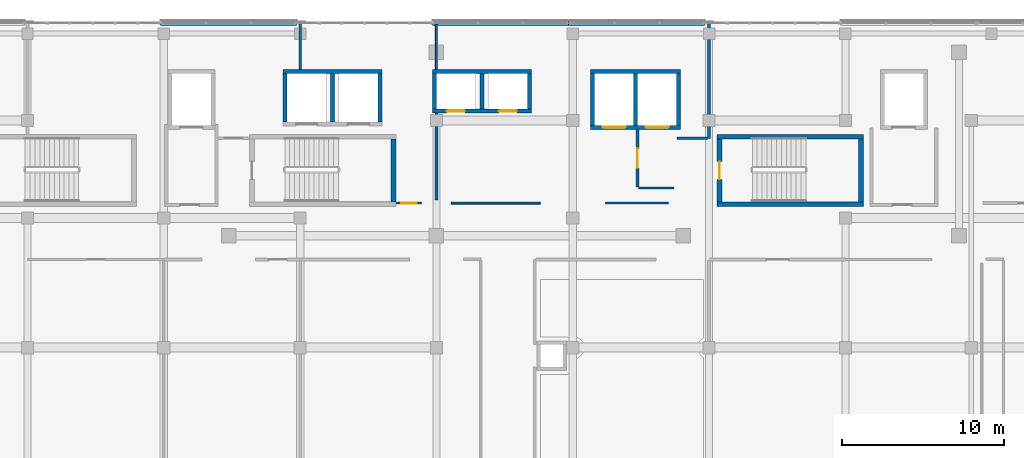
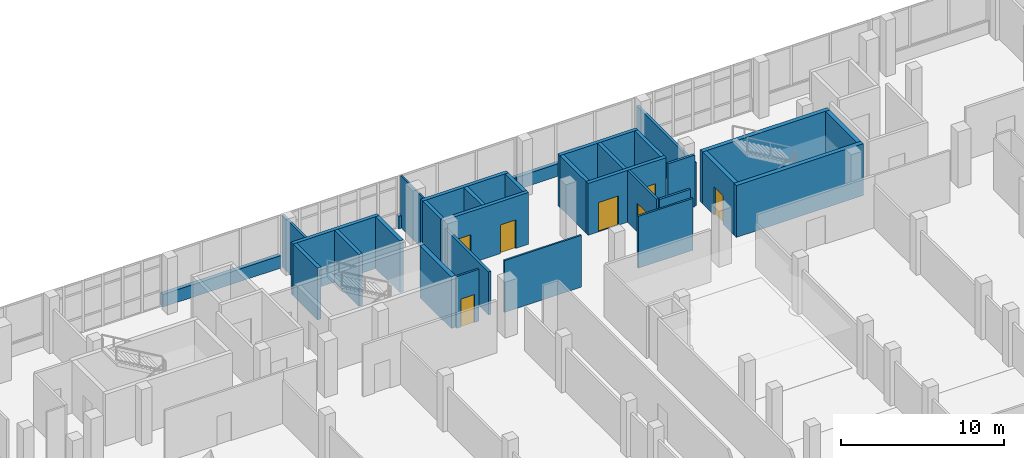
# One storey, part 169 of 184: 32 walls, 7 doors, 7 openings.
"""IFC4 building model written with IfcOpenShell, lengths in metres."""

from ifc_helpers import new_model, si_unit, direction, frame, frame_2d, origin, place, context, subcontext, project, spatial, rectangle, extrude, material, layer, layer_set, type_object, element, fill, save


model = new_model("IFC4")

# Units and contexts
model_context = context("Model", 3, precision=1e-05, world=origin(), true_north=direction((0.0, 1.0)))
body_context = subcontext(model_context, "Body", "Model", "MODEL_VIEW")
ifc_project = project(units=[si_unit("LENGTHUNIT", "METRE"), si_unit("AREAUNIT", "SQUARE_METRE"), si_unit("VOLUMEUNIT", "CUBIC_METRE"), si_unit("PLANEANGLEUNIT", "RADIAN"), si_unit("MASSUNIT", "GRAM", prefix="KILO")], contexts=[model_context])

# Site, building, storey
site_placement = place(None, origin())
site = spatial("IfcSite", under=ifc_project, at=site_placement, CompositionType="ELEMENT")
building_placement = place(site_placement, origin())
building = spatial("IfcBuilding", under=site, at=building_placement, Name="Selatvlak General Hospital", CompositionType="ELEMENT")
storey_placement = place(building_placement, frame((0.0, 0.0, 15.0)))
storey = spatial("IfcBuildingStorey", under=building, at=storey_placement, Name="L03", CompositionType="ELEMENT", Elevation=15.0)

# Walls
ifc_material_1 = material(Name="Precast concrete C40/50 - white Bauhaus spandrel", Category="concrete")
ifc_layer_1 = layer(ifc_material_1, 0.280029296875, Name="Precast concrete C40/50 - white Bauhaus spandrel", Category="concrete")
ifc_layer_set_1 = layer_set([ifc_layer_1], Name="Precast concrete C40/50 - white Bauhaus spandrel")
wall_type_1 = type_object("IfcWallType", Name="WALL-EW-02", PredefinedType="SOLIDWALL", material=ifc_layer_set_1)
wall_1_placement = place(storey_placement, frame((98.201904296875, 119.9990234375, 0.0), z_axis=(0.0, 0.0, 1.0), x_axis=(0.999999993202, 0.000116604477, 0.0)))
element("IfcWall", 1, at=wall_1_placement, inside=storey, type_object=wall_type_1, Name="L03 Bauhaus spandrel sill wall 0370", PredefinedType="SOLIDWALL", context=body_context, shape_type="SweptSolid", body=[
    extrude(rectangle(XDim=8.375, YDim=0.280029296875, at=frame_2d((4.1875, 0.0))), origin(), (0.0, 0.0, 1.0), 0.93994140625),
])
for number, where, z_axis, x_axis, name in (
    (2, (114.9609375, 120.0, 0.0), (0.0, 0.0, 1.0), (1.0, 0.0, 0.0), "L03 Bauhaus spandrel sill wall 0371"),
    (3, (123.341064453125, 120.0, 0.0), (0.0, 0.0, 1.0), (1.0, 0.0, 0.0), "L03 Bauhaus spandrel sill wall 0372"),
):
    element("IfcWall", number, at=place(storey_placement, frame(where, z_axis=z_axis, x_axis=x_axis)), inside=storey, type_object=wall_type_1, Name=name, PredefinedType="SOLIDWALL", context=body_context, shape_type="SweptSolid", body=[
        extrude(rectangle(XDim=8.3759765625, YDim=0.280029296875, at=frame_2d((4.18798828125, 0.0))), origin(), (0.0, 0.0, 1.0), 0.93994140625),
    ])
ifc_material_2 = material(Name="Acoustic gypsum stud partition")
ifc_layer_2 = layer(ifc_material_2, 0.179931640625, Name="Acoustic gypsum stud partition")
ifc_layer_set_2 = layer_set([ifc_layer_2], Name="Acoustic gypsum stud partition")
wall_type_2 = type_object("IfcWallType", Name="WALL-PT-01", PredefinedType="PARTITIONING", material=ifc_layer_set_2)
wall_2_placement = place(storey_placement, frame((115.199951171875, 114.452880859375, 0.0), z_axis=(0.0, 0.0, 1.0), x_axis=(0.0, -1.0, 0.0)))
element("IfcWall", 4, at=wall_2_placement, inside=storey, type_object=wall_type_2, Name="L03 clinical partition PT-L03-1635", PredefinedType="PARTITIONING", context=body_context, shape_type="SweptSolid", body=[
    extrude(rectangle(XDim=5.3427734375, YDim=0.179931640625, at=frame_2d((2.67138671875, 0.0))), origin(), (0.0, 0.0, 1.0), 3.2451171875),
])
wall_3_placement = place(storey_placement, frame((132.0, 119.989013671875, 0.0), z_axis=(0.0, 0.0, 1.0), x_axis=(0.0, -1.0, 0.0)))
element("IfcWall", 5, at=wall_3_placement, inside=storey, type_object=wall_type_2, Name="L03 clinical partition PT-L03-1640", PredefinedType="PARTITIONING", context=body_context, shape_type="SweptSolid", body=[
    extrude(rectangle(XDim=7.089111328125, YDim=0.179931640625, at=frame_2d((3.54443359375, 0.0))), origin(), (0.0, 0.0, 1.0), 3.2451171875),
])

# Wall, opening, door
ifc_layer_3 = layer(ifc_material_2, 0.1650390625, Name="Acoustic gypsum stud partition")
ifc_layer_set_3 = layer_set([ifc_layer_3], Name="Acoustic gypsum stud partition")
wall_type_3 = type_object("IfcWallType", Name="WALL-PT-02", PredefinedType="PARTITIONING", material=ifc_layer_set_3)
wall_4_placement = place(storey_placement, frame((127.590087890625, 113.452880859375, 0.0), z_axis=(0.0, 0.0, 1.0), x_axis=(0.0, -1.0, 0.0)))
wall_4 = element("IfcWall", 6, at=wall_4_placement, inside=storey, type_object=wall_type_3, Name="L03 clinical partition PT-L03-1636", PredefinedType="PARTITIONING", context=body_context, shape_type="SweptSolid", body=[
    extrude(rectangle(XDim=3.552978515625, YDim=0.1650390625, at=frame_2d((1.7763671875, 0.0))), origin(), (0.0, 0.0, 1.0), 3.89501953125),
])
opening_1_placement = place(wall_4_placement, frame((1.176025390625, 0.0, 0.0)))
opening_1 = element("IfcOpeningElement", 7, at=opening_1_placement, cuts=wall_4, Name="Opening D-07", PredefinedType="OPENING", context=body_context, shape_type="SweptSolid", body=[
    extrude(rectangle(XDim=1.199951171875, YDim=2.14990234375, at=frame_2d((0.60009765625, 1.074951171875))), frame((0.0, 0.092529296875, 0.0), z_axis=(0.0, -1.0, 0.0), x_axis=(1.0, 0.0, 0.0)), (0.0, 0.0, 1.0), 0.18505859375),
])
ifc_material_3 = material(Name="Plant and store fire door")
door_type_1 = type_object("IfcDoorType", Name="DOOR-D-07", OperationType="NOTDEFINED", PredefinedType="DOOR", material=ifc_material_3)
door_1_placement = place(opening_1_placement, origin())
door_1 = element("IfcDoor", 8, at=door_1_placement, inside=storey, type_object=door_type_1, Name="L03 Biomedical Engineering Workshop 60 door", OperationType="SINGLE_SWING_LEFT", OverallHeight=2.14990234375, OverallWidth=1.199951171875, PredefinedType="DOOR", context=body_context, shape_type="SweptSolid", body=[
    extrude(rectangle(XDim=1.199951171875, YDim=2.14990234375, at=frame_2d((0.60009765625, 1.074951171875))), frame((0.0, 0.02490234375, 0.0), z_axis=(0.0, -1.0, 0.0), x_axis=(1.0, 0.0, 0.0)), (0.0, 0.0, 1.0), 0.050048828125),
])
fill(opening_1, door_1)

# Walls
wall_5_placement = place(storey_placement, frame((131.9140625, 112.89990234375, 0.0), z_axis=(0.0, 0.0, 1.0), x_axis=(-1.0, 0.0, 0.0)))
element("IfcWall", 9, at=wall_5_placement, inside=storey, type_object=wall_type_3, Name="L03 clinical partition PT-L03-1641", PredefinedType="PARTITIONING", context=body_context, shape_type="SweptSolid", body=[
    extrude(rectangle(XDim=1.904052734375, YDim=0.1650390625, at=frame_2d((0.9521484375, 0.0))), origin(), (0.0, 0.0, 1.0), 3.89501953125),
])
ifc_layer_4 = layer(ifc_material_2, 0.14990234375, Name="Acoustic gypsum stud partition")
ifc_layer_set_4 = layer_set([ifc_layer_4], Name="Acoustic gypsum stud partition")
wall_type_4 = type_object("IfcWallType", Name="WALL-PT-03", PredefinedType="PARTITIONING", material=ifc_layer_set_4)
wall_6_placement = place(storey_placement, frame((106.800048828125, 119.989013671875, 0.0), z_axis=(0.0, 0.0, 1.0), x_axis=(0.0, -1.0, 0.0)))
element("IfcWall", 10, at=wall_6_placement, inside=storey, type_object=wall_type_4, Name="L03 clinical partition PT-L03-1632", PredefinedType="PARTITIONING", context=body_context, shape_type="SweptSolid", body=[
    extrude(rectangle(XDim=2.842041015625, YDim=0.14990234375, at=frame_2d((1.4208984375, 0.0))), origin(), (0.0, 0.0, 1.0), 3.89501953125),
])
wall_7_placement = place(storey_placement, frame((127.64990234375, 109.840087890625, 0.0), z_axis=(0.0, 0.0, 1.0), x_axis=(1.0, 0.0, 0.0)))
element("IfcWall", 11, at=wall_7_placement, inside=storey, type_object=wall_type_4, Name="L03 clinical partition PT-L03-1637", PredefinedType="PARTITIONING", context=body_context, shape_type="SweptSolid", body=[
    extrude(rectangle(XDim=2.190185546875, YDim=0.14990234375, at=frame_2d((1.09521484375, 0.0))), origin(), (0.0, 0.0, 1.0), 3.89501953125),
])

# Wall, opening, door
ifc_material_4 = material(Name="Moisture-resistant clinical partition")
ifc_layer_5 = layer(ifc_material_4, 0.135009765625, Name="Moisture-resistant clinical partition")
ifc_layer_set_5 = layer_set([ifc_layer_5], Name="Moisture-resistant clinical partition")
wall_type_5 = type_object("IfcWallType", Name="WALL-PT-04", PredefinedType="PARTITIONING", material=ifc_layer_set_5)
wall_8_placement = place(storey_placement, frame((114.287109375, 108.909912109375, 0.0), z_axis=(0.0, 0.0, 1.0), x_axis=(-1.0, 0.0, 0.0)))
wall_8 = element("IfcWall", 12, at=wall_8_placement, inside=storey, type_object=wall_type_5, Name="L03 clinical partition PT-L03-1633", PredefinedType="PARTITIONING", context=body_context, shape_type="SweptSolid", body=[
    extrude(rectangle(XDim=1.5771484375, YDim=0.135009765625, at=frame_2d((0.78857421875, 0.0))), origin(), (0.0, 0.0, 1.0), 3.89501953125),
])
opening_2_placement = place(wall_8_placement, frame((0.31396484375, 0.0, 0.0)))
opening_2 = element("IfcOpeningElement", 13, at=opening_2_placement, cuts=wall_8, Name="Opening D-02", PredefinedType="OPENING", context=body_context, shape_type="SweptSolid", body=[
    extrude(rectangle(XDim=0.949951171875, YDim=2.10009765625, at=frame_2d((0.47509765625, 1.050048828125))), frame((0.0, 0.077392578125, 0.0), z_axis=(0.0, -1.0, 0.0), x_axis=(1.0, 0.0, 0.0)), (0.0, 0.0, 1.0), 0.155029296875),
])
ifc_material_5 = material(Name="Moisture-resistant en-suite door")
door_type_2 = type_object("IfcDoorType", Name="DOOR-D-02", OperationType="NOTDEFINED", PredefinedType="DOOR", material=ifc_material_5)
door_2_placement = place(opening_2_placement, origin())
door_2 = element("IfcDoor", 14, at=door_2_placement, inside=storey, type_object=door_type_2, Name="L03 Hospital Transfusion Blood Bank 59 door", OperationType="SINGLE_SWING_RIGHT", OverallHeight=2.10009765625, OverallWidth=0.949951171875, PredefinedType="DOOR", context=body_context, shape_type="SweptSolid", body=[
    extrude(rectangle(XDim=0.949951171875, YDim=2.10009765625, at=frame_2d((0.47509765625, 1.050048828125))), frame((0.0, 0.02490234375, 0.0), z_axis=(0.0, -1.0, 0.0), x_axis=(1.0, 0.0, 0.0)), (0.0, 0.0, 1.0), 0.050048828125),
])
fill(opening_2, door_2)

# Walls
wall_9_placement = place(storey_placement, frame((129.487060546875, 108.909912109375, 0.0), z_axis=(0.0, 0.0, 1.0), x_axis=(-1.0, 0.0, 0.0)))
element("IfcWall", 15, at=wall_9_placement, inside=storey, type_object=wall_type_5, Name="L03 clinical partition PT-L03-1638", PredefinedType="PARTITIONING", context=body_context, shape_type="SweptSolid", body=[
    extrude(rectangle(XDim=3.8759765625, YDim=0.135009765625, at=frame_2d((1.93798828125, 0.0))), origin(), (0.0, 0.0, 1.0), 3.89501953125),
])
ifc_layer_6 = layer(ifc_material_4, 0.1201171875, Name="Moisture-resistant clinical partition")
ifc_layer_set_6 = layer_set([ifc_layer_6], Name="Moisture-resistant clinical partition")
wall_type_6 = type_object("IfcWallType", Name="WALL-PT-05", PredefinedType="PARTITIONING", material=ifc_layer_set_6)
wall_10_placement = place(storey_placement, frame((115.199951171875, 119.9580078125, 0.0), z_axis=(0.0, 0.0, 1.0), x_axis=(0.0, -1.0, 0.0)))
element("IfcWall", 16, at=wall_10_placement, inside=storey, type_object=wall_type_6, Name="L03 clinical partition PT-L03-1634", PredefinedType="PARTITIONING", context=body_context, shape_type="SweptSolid", body=[
    extrude(rectangle(XDim=2.81103515625, YDim=0.1201171875, at=frame_2d((1.405517578125, 0.0))), origin(), (0.0, 0.0, 1.0), 3.89501953125),
])
wall_11_placement = place(storey_placement, frame((121.589111328125, 108.909912109375, 0.0), z_axis=(0.0, 0.0, 1.0), x_axis=(-1.0, 0.0, 0.0)))
element("IfcWall", 17, at=wall_11_placement, inside=storey, type_object=wall_type_6, Name="L03 clinical partition PT-L03-1639", PredefinedType="PARTITIONING", context=body_context, shape_type="SweptSolid", body=[
    extrude(rectangle(XDim=5.47607421875, YDim=0.1201171875, at=frame_2d((2.738037109375, 0.0))), origin(), (0.0, 0.0, 1.0), 3.89501953125),
])
ifc_material_6 = material(Name="Concrete C45/55", Category="concrete")
ifc_layer_7 = layer(ifc_material_6, 0.300048828125, Name="Concrete C45/55", Category="concrete")
ifc_layer_set_7 = layer_set([ifc_layer_7], Name="Concrete C45/55")
wall_type_7 = type_object("IfcWallType", Name="WALL-SW-02", PredefinedType="SHEAR", material=ifc_layer_set_7)
wall_12_placement = place(storey_placement, frame((112.56005859375, 108.989990234375, 0.0), z_axis=(0.0, 0.0, 1.0), x_axis=(0.0, 1.0, 0.0)))
element("IfcWall", 18, at=wall_12_placement, inside=storey, type_object=wall_type_7, Name="ST-03 core shear wall L03 E", PredefinedType="SHEAR", context=body_context, shape_type="SweptSolid", body=[
    extrude(rectangle(XDim=3.860107421875, YDim=0.300048828125, at=frame_2d((1.93017578125, 0.0))), origin(), (0.0, 0.0, 1.0), 3.89501953125),
])
wall_13_placement = place(storey_placement, frame((132.489990234375, 108.840087890625, 0.0), z_axis=(0.0, 0.0, 1.0), x_axis=(1.0, 0.0, 0.0)))
element("IfcWall", 19, at=wall_13_placement, inside=storey, type_object=wall_type_7, Name="ST-04 core shear wall L03 S", PredefinedType="SHEAR", context=body_context, shape_type="SweptSolid", body=[
    extrude(rectangle(XDim=9.02001953125, YDim=0.300048828125, at=frame_2d((4.510009765625, 0.0))), origin(), (0.0, 0.0, 1.0), 3.89501953125),
])
wall_14_placement = place(storey_placement, frame((141.360107421875, 108.989990234375, 0.0), z_axis=(0.0, 0.0, 1.0), x_axis=(0.0, 1.0, 0.0)))
element("IfcWall", 20, at=wall_14_placement, inside=storey, type_object=wall_type_7, Name="ST-04 core shear wall L03 E", PredefinedType="SHEAR", context=body_context, shape_type="SweptSolid", body=[
    extrude(rectangle(XDim=3.860107421875, YDim=0.300048828125, at=frame_2d((1.93017578125, 0.0))), origin(), (0.0, 0.0, 1.0), 3.89501953125),
])
wall_15_placement = place(storey_placement, frame((141.510009765625, 113.0, 0.0), z_axis=(0.0, 0.0, 1.0), x_axis=(-1.0, 0.0, 0.0)))
element("IfcWall", 21, at=wall_15_placement, inside=storey, type_object=wall_type_7, Name="ST-04 core shear wall L03 N", PredefinedType="SHEAR", context=body_context, shape_type="SweptSolid", body=[
    extrude(rectangle(XDim=9.02001953125, YDim=0.300048828125, at=frame_2d((4.510009765625, 0.0))), origin(), (0.0, 0.0, 1.0), 3.89501953125),
])

# Wall, opening, door
wall_16_placement = place(storey_placement, frame((132.639892578125, 112.85009765625, 0.0), z_axis=(0.0, 0.0, 1.0), x_axis=(0.0, -1.0, 0.0)))
wall_16 = element("IfcWall", 22, at=wall_16_placement, inside=storey, type_object=wall_type_7, Name="ST-04 core shear wall L03 W", PredefinedType="SHEAR", context=body_context, shape_type="SweptSolid", body=[
    extrude(rectangle(XDim=3.860107421875, YDim=0.300048828125, at=frame_2d((1.93017578125, 0.0))), origin(), (0.0, 0.0, 1.0), 3.89501953125),
])
opening_3_placement = place(wall_16_placement, frame((1.3798828125, 0.0, 0.0)))
opening_3 = element("IfcOpeningElement", 23, at=opening_3_placement, cuts=wall_16, Name="Opening D-05", PredefinedType="OPENING", context=body_context, shape_type="SweptSolid", body=[
    extrude(rectangle(XDim=1.10009765625, YDim=2.14990234375, at=frame_2d((0.550048828125, 1.074951171875))), frame((0.0, 0.159912109375, 0.0), z_axis=(0.0, -1.0, 0.0), x_axis=(1.0, 0.0, 0.0)), (0.0, 0.0, 1.0), 0.320068359375),
])
ifc_material_7 = material(Name="Protected stair fire door")
door_type_3 = type_object("IfcDoorType", Name="DOOR-D-05", OperationType="NOTDEFINED", PredefinedType="DOOR", material=ifc_material_7)
door_3_placement = place(opening_3_placement, origin())
door_3 = element("IfcDoor", 24, at=door_3_placement, inside=storey, type_object=door_type_3, Name="ST-04 protected stair door on L03", OperationType="SINGLE_SWING_RIGHT", OverallHeight=2.14990234375, OverallWidth=1.10009765625, PredefinedType="DOOR", context=body_context, shape_type="SweptSolid", body=[
    extrude(rectangle(XDim=1.10009765625, YDim=2.14990234375, at=frame_2d((0.550048828125, 1.074951171875))), frame((0.0, 0.02490234375, 0.0), z_axis=(0.0, -1.0, 0.0), x_axis=(1.0, 0.0, 0.0)), (0.0, 0.0, 1.0), 0.050048828125),
])
fill(opening_3, door_3)

# Wall, openings, doors
ifc_material_8 = material(Name="Concrete C40/50", Category="concrete")
ifc_layer_8 = layer(ifc_material_8, 0.25, Name="Concrete C40/50", Category="concrete")
ifc_layer_set_8 = layer_set([ifc_layer_8], Name="Concrete C40/50")
wall_type_8 = type_object("IfcWallType", Name="WALL-SW-03", PredefinedType="SHEAR", material=ifc_layer_set_8)
wall_17_placement = place(storey_placement, frame((124.699951171875, 113.574951171875, 0.0), z_axis=(0.0, 0.0, 1.0), x_axis=(1.0, 0.0, 0.0)))
wall_17 = element("IfcWall", 25, at=wall_17_placement, inside=storey, type_object=wall_type_8, Name="Lift LB-03-LB-04 shaft wall L03 S", PredefinedType="SHEAR", context=body_context, shape_type="SweptSolid", body=[
    extrude(rectangle(XDim=5.550048828125, YDim=0.25, at=frame_2d((2.77490234375, 0.0))), origin(), (0.0, 0.0, 1.0), 3.89501953125),
])
opening_4_placement = place(wall_17_placement, frame((0.75, 0.0, 0.0)))
opening_4 = element("IfcOpeningElement", 26, at=opening_4_placement, cuts=wall_17, Name="Opening LD-B1", PredefinedType="OPENING", context=body_context, shape_type="SweptSolid", body=[
    extrude(rectangle(XDim=1.39990234375, YDim=2.199951171875, at=frame_2d((0.699951171875, 1.10009765625))), frame((0.0, 0.135009765625, 0.0), z_axis=(0.0, -1.0, 0.0), x_axis=(1.0, 0.0, 0.0)), (0.0, 0.0, 1.0), 0.27001953125),
])
opening_5_placement = place(wall_17_placement, frame((3.39990234375, 0.0, 0.0)))
opening_5 = element("IfcOpeningElement", 27, at=opening_5_placement, cuts=wall_17, Name="Opening LD-B1", PredefinedType="OPENING", context=body_context, shape_type="SweptSolid", body=[
    extrude(rectangle(XDim=1.39990234375, YDim=2.199951171875, at=frame_2d((0.699951171875, 1.10009765625))), frame((0.0, 0.135009765625, 0.0), z_axis=(0.0, -1.0, 0.0), x_axis=(1.0, 0.0, 0.0)), (0.0, 0.0, 1.0), 0.27001953125),
])
ifc_material_9 = material(Name="Stainless steel stretcher lift landing door", Category="steel")
door_type_4 = type_object("IfcDoorType", Name="DOOR-LD-B1", OperationType="DOUBLE_DOOR_SLIDING", PredefinedType="DOOR", material=ifc_material_9)
door_4_placement = place(opening_4_placement, origin())
door_4 = element("IfcDoor", 28, at=door_4_placement, inside=storey, type_object=door_type_4, Name="Lift LB-03 sliding landing door on L03", OperationType="DOUBLE_DOOR_SLIDING", OverallHeight=2.199951171875, OverallWidth=1.39990234375, PredefinedType="DOOR", context=body_context, shape_type="SweptSolid", body=[
    extrude(rectangle(XDim=1.39990234375, YDim=2.199951171875, at=frame_2d((0.699951171875, 1.10009765625))), frame((0.0, 0.02490234375, 0.0), z_axis=(0.0, -1.0, 0.0), x_axis=(1.0, 0.0, 0.0)), (0.0, 0.0, 1.0), 0.050048828125),
])
fill(opening_4, door_4)
door_5_placement = place(opening_5_placement, origin())
door_5 = element("IfcDoor", 29, at=door_5_placement, inside=storey, type_object=door_type_4, Name="Lift LB-04 sliding landing door on L03", OperationType="DOUBLE_DOOR_SLIDING", OverallHeight=2.199951171875, OverallWidth=1.39990234375, PredefinedType="DOOR", context=body_context, shape_type="SweptSolid", body=[
    extrude(rectangle(XDim=1.39990234375, YDim=2.199951171875, at=frame_2d((0.699951171875, 1.10009765625))), frame((0.0, 0.02490234375, 0.0), z_axis=(0.0, -1.0, 0.0), x_axis=(1.0, 0.0, 0.0)), (0.0, 0.0, 1.0), 0.050048828125),
])
fill(opening_5, door_5)

# Walls
wall_18_placement = place(storey_placement, frame((130.125, 113.699951171875, 0.0), z_axis=(0.0, 0.0, 1.0), x_axis=(0.0, 1.0, 0.0)))
element("IfcWall", 30, at=wall_18_placement, inside=storey, type_object=wall_type_8, Name="Lift LB-03-LB-04 shaft wall L03 E", PredefinedType="SHEAR", context=body_context, shape_type="SweptSolid", body=[
    extrude(rectangle(XDim=3.199951171875, YDim=0.25, at=frame_2d((1.60009765625, 0.0))), origin(), (0.0, 0.0, 1.0), 3.89501953125),
])
wall_19_placement = place(storey_placement, frame((130.25, 117.02490234375, 0.0), z_axis=(0.0, 0.0, 1.0), x_axis=(-1.0, 0.0, 0.0)))
element("IfcWall", 31, at=wall_19_placement, inside=storey, type_object=wall_type_8, Name="Lift LB-03-LB-04 shaft wall L03 N", PredefinedType="SHEAR", context=body_context, shape_type="SweptSolid", body=[
    extrude(rectangle(XDim=5.550048828125, YDim=0.25, at=frame_2d((2.77490234375, 0.0))), origin(), (0.0, 0.0, 1.0), 3.89501953125),
])
for number, where, z_axis, x_axis, name in (
    (32, (124.824951171875, 116.89990234375, 0.0), (0.0, 0.0, 1.0), (0.0, -1.0, 0.0), "Lift LB-03-LB-04 shaft wall L03 W"),
    (33, (127.47509765625, 113.699951171875, 0.0), (0.0, 0.0, 1.0), (0.0, 1.0, 0.0), "Lift LB-03-LB-04 dividing shaft wall L03"),
):
    element("IfcWall", number, at=place(storey_placement, frame(where, z_axis=z_axis, x_axis=x_axis)), inside=storey, type_object=wall_type_8, Name=name, PredefinedType="SHEAR", context=body_context, shape_type="SweptSolid", body=[
        extrude(rectangle(XDim=3.199951171875, YDim=0.25, at=frame_2d((1.60009765625, 0.0))), origin(), (0.0, 0.0, 1.0), 3.89501953125),
    ])
wall_20_placement = place(storey_placement, frame((111.72509765625, 113.89990234375, 0.0), z_axis=(0.0, 0.0, 1.0), x_axis=(0.0, 1.0, 0.0)))
element("IfcWall", 34, at=wall_20_placement, inside=storey, type_object=wall_type_8, Name="Lift LS-01-LS-02 shaft wall L03 E", PredefinedType="SHEAR", context=body_context, shape_type="SweptSolid", body=[
    extrude(rectangle(XDim=3.0, YDim=0.25, at=frame_2d((1.5, 0.0))), origin(), (0.0, 0.0, 1.0), 3.89501953125),
])
wall_21_placement = place(storey_placement, frame((111.85009765625, 117.02490234375, 0.0), z_axis=(0.0, 0.0, 1.0), x_axis=(-1.0, 0.0, 0.0)))
element("IfcWall", 35, at=wall_21_placement, inside=storey, type_object=wall_type_8, Name="Lift LS-01-LS-02 shaft wall L03 N", PredefinedType="SHEAR", context=body_context, shape_type="SweptSolid", body=[
    extrude(rectangle(XDim=6.10009765625, YDim=0.25, at=frame_2d((3.050048828125, 0.0))), origin(), (0.0, 0.0, 1.0), 3.89501953125),
])
for number, where, z_axis, x_axis, name in (
    (36, (105.875, 116.89990234375, 0.0), (0.0, 0.0, 1.0), (0.0, -1.0, 0.0), "Lift LS-01-LS-02 shaft wall L03 W"),
    (37, (108.800048828125, 113.89990234375, 0.0), (0.0, 0.0, 1.0), (0.0, 1.0, 0.0), "Lift LS-01-LS-02 dividing shaft wall L03"),
):
    element("IfcWall", number, at=place(storey_placement, frame(where, z_axis=z_axis, x_axis=x_axis)), inside=storey, type_object=wall_type_8, Name=name, PredefinedType="SHEAR", context=body_context, shape_type="SweptSolid", body=[
        extrude(rectangle(XDim=3.0, YDim=0.25, at=frame_2d((1.5, 0.0))), origin(), (0.0, 0.0, 1.0), 3.89501953125),
    ])

# Wall, openings, doors
wall_22_placement = place(storey_placement, frame((114.949951171875, 114.574951171875, 0.0), z_axis=(0.0, 0.0, 1.0), x_axis=(1.0, 0.0, 0.0)))
wall_22 = element("IfcWall", 38, at=wall_22_placement, inside=storey, type_object=wall_type_8, Name="Lift LP-05-LP-06 shaft wall L03 S", PredefinedType="SHEAR", context=body_context, shape_type="SweptSolid", body=[
    extrude(rectangle(XDim=6.10009765625, YDim=0.25, at=frame_2d((3.050048828125, 0.0))), origin(), (0.0, 0.0, 1.0), 3.89501953125),
])
opening_6_placement = place(wall_22_placement, frame((0.89990234375, 0.0, 0.0)))
opening_6 = element("IfcOpeningElement", 39, at=opening_6_placement, cuts=wall_22, Name="Opening LD-P1", PredefinedType="OPENING", context=body_context, shape_type="SweptSolid", body=[
    extrude(rectangle(XDim=1.10009765625, YDim=2.14990234375, at=frame_2d((0.550048828125, 1.074951171875))), frame((0.0, 0.135009765625, 0.0), z_axis=(0.0, -1.0, 0.0), x_axis=(1.0, 0.0, 0.0)), (0.0, 0.0, 1.0), 0.27001953125),
])
opening_7_placement = place(wall_22_placement, frame((4.10009765625, 0.0, 0.0)))
opening_7 = element("IfcOpeningElement", 40, at=opening_7_placement, cuts=wall_22, Name="Opening LD-P1", PredefinedType="OPENING", context=body_context, shape_type="SweptSolid", body=[
    extrude(rectangle(XDim=1.10009765625, YDim=2.14990234375, at=frame_2d((0.550048828125, 1.074951171875))), frame((0.0, 0.135009765625, 0.0), z_axis=(0.0, -1.0, 0.0), x_axis=(1.0, 0.0, 0.0)), (0.0, 0.0, 1.0), 0.27001953125),
])
ifc_material_10 = material(Name="Stainless steel passenger lift landing door", Category="steel")
door_type_5 = type_object("IfcDoorType", Name="DOOR-LD-P1", OperationType="DOUBLE_DOOR_SLIDING", PredefinedType="DOOR", material=ifc_material_10)
door_6_placement = place(opening_6_placement, origin())
door_6 = element("IfcDoor", 41, at=door_6_placement, inside=storey, type_object=door_type_5, Name="Lift LP-05 sliding landing door on L03", OperationType="DOUBLE_DOOR_SLIDING", OverallHeight=2.14990234375, OverallWidth=1.10009765625, PredefinedType="DOOR", context=body_context, shape_type="SweptSolid", body=[
    extrude(rectangle(XDim=1.10009765625, YDim=2.14990234375, at=frame_2d((0.550048828125, 1.074951171875))), frame((0.0, 0.02490234375, 0.0), z_axis=(0.0, -1.0, 0.0), x_axis=(1.0, 0.0, 0.0)), (0.0, 0.0, 1.0), 0.050048828125),
])
fill(opening_6, door_6)
door_7_placement = place(opening_7_placement, origin())
door_7 = element("IfcDoor", 42, at=door_7_placement, inside=storey, type_object=door_type_5, Name="Lift LP-06 sliding landing door on L03", OperationType="DOUBLE_DOOR_SLIDING", OverallHeight=2.14990234375, OverallWidth=1.10009765625, PredefinedType="DOOR", context=body_context, shape_type="SweptSolid", body=[
    extrude(rectangle(XDim=1.10009765625, YDim=2.14990234375, at=frame_2d((0.550048828125, 1.074951171875))), frame((0.0, 0.02490234375, 0.0), z_axis=(0.0, -1.0, 0.0), x_axis=(1.0, 0.0, 0.0)), (0.0, 0.0, 1.0), 0.050048828125),
])
fill(opening_7, door_7)

# Walls
wall_23_placement = place(storey_placement, frame((120.925048828125, 114.699951171875, 0.0), z_axis=(0.0, 0.0, 1.0), x_axis=(0.0, 1.0, 0.0)))
element("IfcWall", 43, at=wall_23_placement, inside=storey, type_object=wall_type_8, Name="Lift LP-05-LP-06 shaft wall L03 E", PredefinedType="SHEAR", context=body_context, shape_type="SweptSolid", body=[
    extrude(rectangle(XDim=2.199951171875, YDim=0.25, at=frame_2d((1.10009765625, 0.0))), origin(), (0.0, 0.0, 1.0), 3.89501953125),
])
wall_24_placement = place(storey_placement, frame((121.050048828125, 117.02490234375, 0.0), z_axis=(0.0, 0.0, 1.0), x_axis=(-1.0, 0.0, 0.0)))
element("IfcWall", 44, at=wall_24_placement, inside=storey, type_object=wall_type_8, Name="Lift LP-05-LP-06 shaft wall L03 N", PredefinedType="SHEAR", context=body_context, shape_type="SweptSolid", body=[
    extrude(rectangle(XDim=6.10009765625, YDim=0.25, at=frame_2d((3.050048828125, 0.0))), origin(), (0.0, 0.0, 1.0), 3.89501953125),
])
for number, where, z_axis, x_axis, name in (
    (45, (115.074951171875, 116.89990234375, 0.0), (0.0, 0.0, 1.0), (0.0, -1.0, 0.0), "Lift LP-05-LP-06 shaft wall L03 W"),
    (46, (118.0, 114.699951171875, 0.0), (0.0, 0.0, 1.0), (0.0, 1.0, 0.0), "Lift LP-05-LP-06 dividing shaft wall L03"),
):
    element("IfcWall", number, at=place(storey_placement, frame(where, z_axis=z_axis, x_axis=x_axis)), inside=storey, type_object=wall_type_8, Name=name, PredefinedType="SHEAR", context=body_context, shape_type="SweptSolid", body=[
        extrude(rectangle(XDim=2.199951171875, YDim=0.25, at=frame_2d((1.10009765625, 0.0))), origin(), (0.0, 0.0, 1.0), 3.89501953125),
    ])

save(model, "model.ifc")
